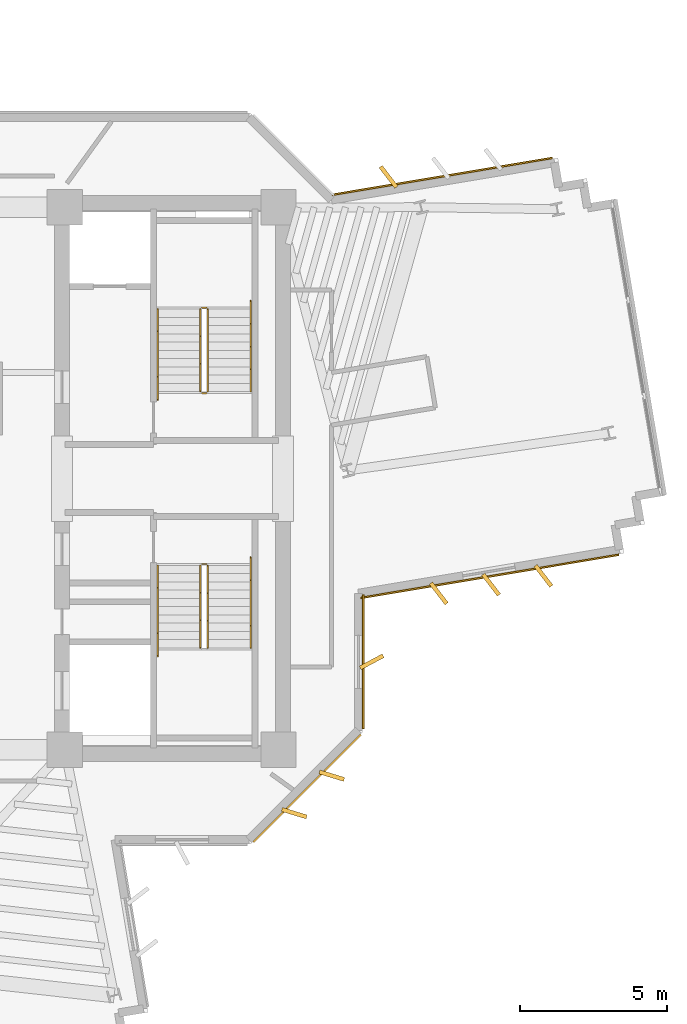
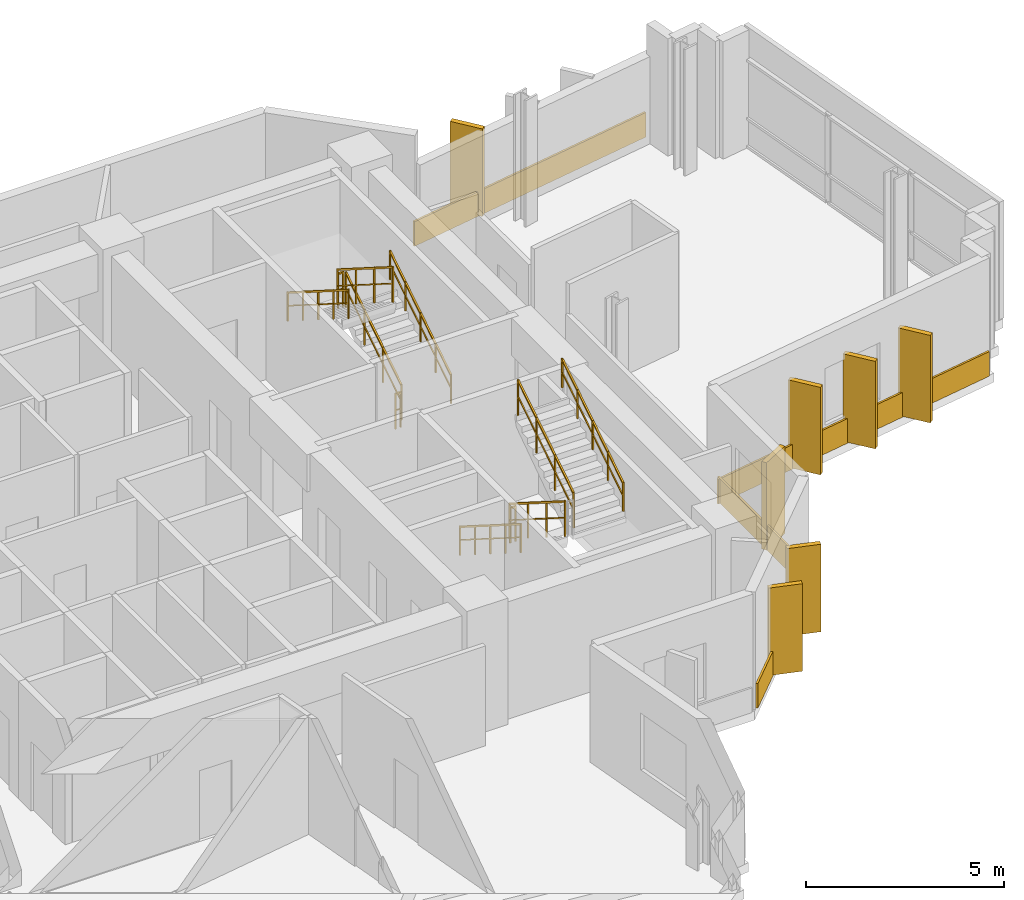
# One storey, part 14 of 15: 11 coverings, 11 railings.
"""IFC4 building model written with IfcOpenShell, lengths in metres."""

from ifc_helpers import new_model, si_unit, direction, frame, origin, origin_2d, place, context, subcontext, project, spatial, rectangle, extrude, source, transform, mapped, material, layer, layer_set, type_object, element, save


model = new_model("IFC4")

# Units and contexts
model_context = context("Model", 3, precision=1e-05, world=origin(), true_north=direction((0.0, 1.0)))
body_context = subcontext(model_context, "Body", "Model", "MODEL_VIEW")
ifc_project = project(units=[si_unit("LENGTHUNIT", "METRE"), si_unit("AREAUNIT", "SQUARE_METRE"), si_unit("VOLUMEUNIT", "CUBIC_METRE"), si_unit("PLANEANGLEUNIT", "RADIAN"), si_unit("MASSUNIT", "GRAM", prefix="KILO")], contexts=[model_context])

# Site, building, storey
site_placement = place(None, origin())
site = spatial("IfcSite", under=ifc_project, at=site_placement, CompositionType="ELEMENT")
building_placement = place(site_placement, origin())
building = spatial("IfcBuilding", under=site, at=building_placement, Name="Zahravan Cultural Tower", CompositionType="ELEMENT")
storey_placement = place(building_placement, frame((0.0, 0.0, 135.60009765625)))
storey = spatial("IfcBuildingStorey", under=building, at=storey_placement, Name="L30", CompositionType="ELEMENT", Elevation=135.60009765625)

# Railings
ifc_material_1 = material(Name="Steel ASTM A572 Grade 50", Category="steel")
railing_type_1 = type_object("IfcRailingType", Name="RL-STAIR-GRD1150", PredefinedType="BALUSTRADE", material=ifc_material_1)
railing_1_placement = place(storey_placement, frame((47.949951171875, 29.949951171875, 0.17724609375)))
element("IfcRailing", 1, at=railing_1_placement, inside=storey, type_object=railing_type_1, Name="L30 ST-E1 stair guard 1", PredefinedType="BALUSTRADE", context=body_context, shape_type="SweptSolid", body=[
    extrude(rectangle(XDim=0.05, YDim=0.05, at=origin_2d()), frame((0.0, 0.0, 1.0751953125), z_axis=(0.0, 0.844908973607, 0.534910110503), x_axis=(-1.0, 0.0, 0.0)), (0.0, 0.0, 1.0), 3.31396484375),
    extrude(rectangle(XDim=0.032, YDim=0.032, at=origin_2d()), frame((0.0, 0.0, 0.572021484375), z_axis=(0.0, 0.844908973607, 0.534910110503), x_axis=(-1.0, 0.0, 0.0)), (0.0, 0.0, 1.0), 3.31396484375),
    extrude(rectangle(XDim=0.04, YDim=0.04, at=origin_2d()), origin(), (0.0, 0.0, 1.0), 1.10009765625),
    extrude(rectangle(XDim=0.04, YDim=0.04, at=origin_2d()), frame((0.0, 0.933349609375, 0.5908203125)), (0.0, 0.0, 1.0), 1.10009765625),
    extrude(rectangle(XDim=0.04, YDim=0.04, at=origin_2d()), frame((0.0, 1.86669921875, 1.181884765625)), (0.0, 0.0, 1.0), 1.10009765625),
    extrude(rectangle(XDim=0.04, YDim=0.04, at=origin_2d()), frame((0.0, 2.800048828125, 1.772705078125)), (0.0, 0.0, 1.0), 1.10009765625),
])
railing_2_placement = place(storey_placement, frame((47.89990234375, 32.800048828125, 1.949951171875)))
element("IfcRailing", 2, at=railing_2_placement, inside=storey, type_object=railing_type_1, Name="L30 ST-E1 stair guard 2", PredefinedType="BALUSTRADE", context=body_context, shape_type="SweptSolid", body=[
    extrude(rectangle(XDim=0.05, YDim=0.05, at=origin_2d()), frame((0.0, 0.0, 1.0751953125), z_axis=(-1.0, 0.0, 0.0), x_axis=(0.0, -1.0, 0.0)), (0.0, 0.0, 1.0), 0.14990234375),
    extrude(rectangle(XDim=0.032, YDim=0.032, at=origin_2d()), frame((0.0, 0.0, 0.572021484375), z_axis=(-1.0, 0.0, 0.0), x_axis=(0.0, -1.0, 0.0)), (0.0, 0.0, 1.0), 0.14990234375),
    extrude(rectangle(XDim=0.04, YDim=0.04, at=origin_2d()), origin(), (0.0, 0.0, 1.0), 1.10009765625),
    extrude(rectangle(XDim=0.04, YDim=0.04, at=origin_2d()), frame((-0.14990234375, 0.0, 0.0)), (0.0, 0.0, 1.0), 1.10009765625),
])
railing_3_placement = place(storey_placement, frame((47.699951171875, 32.75, 2.127197265625)))
element("IfcRailing", 3, at=railing_3_placement, inside=storey, type_object=railing_type_1, Name="L30 ST-E1 stair guard 3", PredefinedType="BALUSTRADE", context=body_context, shape_type="SweptSolid", body=[
    extrude(rectangle(XDim=0.05, YDim=0.05, at=origin_2d()), frame((0.0, 0.0, 1.0751953125), z_axis=(0.0, -0.844908973607, 0.534910110503), x_axis=(1.0, 0.0, 0.0)), (0.0, 0.0, 1.0), 3.31396484375),
    extrude(rectangle(XDim=0.032, YDim=0.032, at=origin_2d()), frame((0.0, 0.0, 0.572021484375), z_axis=(0.0, -0.844908973607, 0.534910110503), x_axis=(1.0, 0.0, 0.0)), (0.0, 0.0, 1.0), 3.31396484375),
    extrude(rectangle(XDim=0.04, YDim=0.04, at=origin_2d()), origin(), (0.0, 0.0, 1.0), 1.10009765625),
    extrude(rectangle(XDim=0.04, YDim=0.04, at=origin_2d()), frame((0.0, -0.933349609375, 0.5908203125)), (0.0, 0.0, 1.0), 1.10009765625),
    extrude(rectangle(XDim=0.04, YDim=0.04, at=origin_2d()), frame((0.0, -1.86669921875, 1.181884765625)), (0.0, 0.0, 1.0), 1.10009765625),
    extrude(rectangle(XDim=0.04, YDim=0.04, at=origin_2d()), frame((0.0, -2.800048828125, 1.772705078125)), (0.0, 0.0, 1.0), 1.10009765625),
])
railing_4_placement = place(storey_placement, frame((47.89990234375, 29.89990234375, 0.0)))
element("IfcRailing", 4, at=railing_4_placement, inside=storey, type_object=railing_type_1, Name="L30 ST-E1 stair guard 4", PredefinedType="BALUSTRADE", context=body_context, shape_type="SweptSolid", body=[
    extrude(rectangle(XDim=0.05, YDim=0.05, at=origin_2d()), frame((0.0, 0.0, 1.0751953125), z_axis=(-1.0, 0.0, 0.0), x_axis=(0.0, -1.0, 0.0)), (0.0, 0.0, 1.0), 0.14990234375),
    extrude(rectangle(XDim=0.032, YDim=0.032, at=origin_2d()), frame((0.0, 0.0, 0.572021484375), z_axis=(-1.0, 0.0, 0.0), x_axis=(0.0, -1.0, 0.0)), (0.0, 0.0, 1.0), 0.14990234375),
    extrude(rectangle(XDim=0.04, YDim=0.04, at=origin_2d()), origin(), (0.0, 0.0, 1.0), 1.10009765625),
    extrude(rectangle(XDim=0.04, YDim=0.04, at=origin_2d()), frame((-0.14990234375, 0.0, 0.0)), (0.0, 0.0, 1.0), 1.10009765625),
])
railing_5_placement = place(storey_placement, frame((47.699951171875, 24.050048828125, 0.17724609375)))
element("IfcRailing", 5, at=railing_5_placement, inside=storey, type_object=railing_type_1, Name="L30 ST-E2 stair guard 1", PredefinedType="BALUSTRADE", context=body_context, shape_type="SweptSolid", body=[
    extrude(rectangle(XDim=0.05, YDim=0.05, at=origin_2d()), frame((0.0, 0.0, 1.0751953125), z_axis=(0.0, -0.844908973607, 0.534910110503), x_axis=(1.0, 0.0, 0.0)), (0.0, 0.0, 1.0), 3.31396484375),
    extrude(rectangle(XDim=0.032, YDim=0.032, at=origin_2d()), frame((0.0, 0.0, 0.572021484375), z_axis=(0.0, -0.844908973607, 0.534910110503), x_axis=(1.0, 0.0, 0.0)), (0.0, 0.0, 1.0), 3.31396484375),
    extrude(rectangle(XDim=0.04, YDim=0.04, at=origin_2d()), origin(), (0.0, 0.0, 1.0), 1.10009765625),
    extrude(rectangle(XDim=0.04, YDim=0.04, at=origin_2d()), frame((0.0, -0.933349609375, 0.5908203125)), (0.0, 0.0, 1.0), 1.10009765625),
    extrude(rectangle(XDim=0.04, YDim=0.04, at=origin_2d()), frame((0.0, -1.86669921875, 1.181884765625)), (0.0, 0.0, 1.0), 1.10009765625),
    extrude(rectangle(XDim=0.04, YDim=0.04, at=origin_2d()), frame((0.0, -2.800048828125, 1.772705078125)), (0.0, 0.0, 1.0), 1.10009765625),
])
railing_6_placement = place(storey_placement, frame((47.949951171875, 21.25, 2.127197265625)))
element("IfcRailing", 6, at=railing_6_placement, inside=storey, type_object=railing_type_1, Name="L30 ST-E2 stair guard 3", PredefinedType="BALUSTRADE", context=body_context, shape_type="SweptSolid", body=[
    extrude(rectangle(XDim=0.05, YDim=0.05, at=origin_2d()), frame((0.0, 0.0, 1.0751953125), z_axis=(0.0, 0.844908973607, 0.534910110503), x_axis=(-1.0, 0.0, 0.0)), (0.0, 0.0, 1.0), 3.31396484375),
    extrude(rectangle(XDim=0.032, YDim=0.032, at=origin_2d()), frame((0.0, 0.0, 0.572021484375), z_axis=(0.0, 0.844908973607, 0.534910110503), x_axis=(-1.0, 0.0, 0.0)), (0.0, 0.0, 1.0), 3.31396484375),
    extrude(rectangle(XDim=0.04, YDim=0.04, at=origin_2d()), origin(), (0.0, 0.0, 1.0), 1.10009765625),
    extrude(rectangle(XDim=0.04, YDim=0.04, at=origin_2d()), frame((0.0, 0.933349609375, 0.5908203125)), (0.0, 0.0, 1.0), 1.10009765625),
    extrude(rectangle(XDim=0.04, YDim=0.04, at=origin_2d()), frame((0.0, 1.86669921875, 1.181884765625)), (0.0, 0.0, 1.0), 1.10009765625),
    extrude(rectangle(XDim=0.04, YDim=0.04, at=origin_2d()), frame((0.0, 2.800048828125, 1.772705078125)), (0.0, 0.0, 1.0), 1.10009765625),
])
railing_7_placement = place(storey_placement, frame((47.75, 24.10009765625, 0.0)))
element("IfcRailing", 7, at=railing_7_placement, inside=storey, type_object=railing_type_1, Name="L30 ST-E2 stair guard 4", PredefinedType="BALUSTRADE", context=body_context, shape_type="SweptSolid", body=[
    extrude(rectangle(XDim=0.05, YDim=0.05, at=origin_2d()), frame((0.0, 0.0, 1.0751953125), z_axis=(1.0, 0.0, 0.0), x_axis=(0.0, 1.0, 0.0)), (0.0, 0.0, 1.0), 0.14990234375),
    extrude(rectangle(XDim=0.032, YDim=0.032, at=origin_2d()), frame((0.0, 0.0, 0.572021484375), z_axis=(1.0, 0.0, 0.0), x_axis=(0.0, 1.0, 0.0)), (0.0, 0.0, 1.0), 0.14990234375),
    extrude(rectangle(XDim=0.04, YDim=0.04, at=origin_2d()), origin(), (0.0, 0.0, 1.0), 1.10009765625),
    extrude(rectangle(XDim=0.04, YDim=0.04, at=origin_2d()), frame((0.14990234375, 0.0, 0.0)), (0.0, 0.0, 1.0), 1.10009765625),
])
railing_type_2 = type_object("IfcRailingType", Name="RL-STAIR-HR900", PredefinedType="HANDRAIL", material=ifc_material_1)
railing_8_placement = place(storey_placement, frame((49.39990234375, 29.949951171875, 0.17724609375)))
element("IfcRailing", 8, at=railing_8_placement, inside=storey, type_object=railing_type_2, Name="L30 ST-E1 stair handrail 1", PredefinedType="HANDRAIL", context=body_context, shape_type="SweptSolid", body=[
    extrude(rectangle(XDim=0.05, YDim=0.05, at=origin_2d()), frame((0.0, 0.0, 0.875), z_axis=(0.0, 0.844913916606, 0.534902302785), x_axis=(-1.0, 0.0, 0.0)), (0.0, 0.0, 1.0), 3.6455078125),
    extrude(rectangle(XDim=0.032, YDim=0.032, at=origin_2d()), frame((0.0, 0.0, 0.468017578125), z_axis=(0.0, 0.844913916606, 0.534902302785), x_axis=(-1.0, 0.0, 0.0)), (0.0, 0.0, 1.0), 3.6455078125),
    extrude(rectangle(XDim=0.04, YDim=0.04, at=origin_2d()), origin(), (0.0, 0.0, 1.0), 0.89990234375),
    extrude(rectangle(XDim=0.04, YDim=0.04, at=origin_2d()), frame((0.0, 0.77001953125, 0.487548828125)), (0.0, 0.0, 1.0), 0.89990234375),
    extrude(rectangle(XDim=0.04, YDim=0.04, at=origin_2d()), frame((0.0, 1.5400390625, 0.97509765625)), (0.0, 0.0, 1.0), 0.89990234375),
    extrude(rectangle(XDim=0.04, YDim=0.04, at=origin_2d()), frame((0.0, 2.31005859375, 1.46240234375)), (0.0, 0.0, 1.0), 0.89990234375),
    extrude(rectangle(XDim=0.04, YDim=0.04, at=origin_2d()), frame((0.0, 3.080078125, 1.949951171875)), (0.0, 0.0, 1.0), 0.89990234375),
])
for number, where, name in (
    (9, (46.25, 32.75, 2.127197265625), "L30 ST-E1 stair handrail 2"),
    (10, (46.25, 24.050048828125, 0.17724609375), "L30 ST-E2 stair handrail 1"),
):
    element("IfcRailing", number, at=place(storey_placement, frame(where)), inside=storey, type_object=railing_type_2, Name=name, PredefinedType="HANDRAIL", context=body_context, shape_type="SweptSolid", body=[
        extrude(rectangle(XDim=0.05, YDim=0.05, at=origin_2d()), frame((0.0, 0.0, 0.875), z_axis=(0.0, -0.844913916606, 0.534902302785), x_axis=(1.0, 0.0, 0.0)), (0.0, 0.0, 1.0), 3.6455078125),
        extrude(rectangle(XDim=0.032, YDim=0.032, at=origin_2d()), frame((0.0, 0.0, 0.468017578125), z_axis=(0.0, -0.844913916606, 0.534902302785), x_axis=(1.0, 0.0, 0.0)), (0.0, 0.0, 1.0), 3.6455078125),
        extrude(rectangle(XDim=0.04, YDim=0.04, at=origin_2d()), origin(), (0.0, 0.0, 1.0), 0.89990234375),
        extrude(rectangle(XDim=0.04, YDim=0.04, at=origin_2d()), frame((0.0, -0.77001953125, 0.487548828125)), (0.0, 0.0, 1.0), 0.89990234375),
        extrude(rectangle(XDim=0.04, YDim=0.04, at=origin_2d()), frame((0.0, -1.5400390625, 0.97509765625)), (0.0, 0.0, 1.0), 0.89990234375),
        extrude(rectangle(XDim=0.04, YDim=0.04, at=origin_2d()), frame((0.0, -2.31005859375, 1.46240234375)), (0.0, 0.0, 1.0), 0.89990234375),
        extrude(rectangle(XDim=0.04, YDim=0.04, at=origin_2d()), frame((0.0, -3.080078125, 1.949951171875)), (0.0, 0.0, 1.0), 0.89990234375),
    ])
railing_9_placement = place(storey_placement, frame((49.39990234375, 21.25, 2.127197265625)))
element("IfcRailing", 11, at=railing_9_placement, inside=storey, type_object=railing_type_2, Name="L30 ST-E2 stair handrail 2", PredefinedType="HANDRAIL", context=body_context, shape_type="SweptSolid", body=[
    extrude(rectangle(XDim=0.05, YDim=0.05, at=origin_2d()), frame((0.0, 0.0, 0.875), z_axis=(0.0, 0.844913916606, 0.534902302785), x_axis=(-1.0, 0.0, 0.0)), (0.0, 0.0, 1.0), 3.6455078125),
    extrude(rectangle(XDim=0.032, YDim=0.032, at=origin_2d()), frame((0.0, 0.0, 0.468017578125), z_axis=(0.0, 0.844913916606, 0.534902302785), x_axis=(-1.0, 0.0, 0.0)), (0.0, 0.0, 1.0), 3.6455078125),
    extrude(rectangle(XDim=0.04, YDim=0.04, at=origin_2d()), origin(), (0.0, 0.0, 1.0), 0.89990234375),
    extrude(rectangle(XDim=0.04, YDim=0.04, at=origin_2d()), frame((0.0, 0.77001953125, 0.487548828125)), (0.0, 0.0, 1.0), 0.89990234375),
    extrude(rectangle(XDim=0.04, YDim=0.04, at=origin_2d()), frame((0.0, 1.5400390625, 0.97509765625)), (0.0, 0.0, 1.0), 0.89990234375),
    extrude(rectangle(XDim=0.04, YDim=0.04, at=origin_2d()), frame((0.0, 2.31005859375, 1.46240234375)), (0.0, 0.0, 1.0), 0.89990234375),
    extrude(rectangle(XDim=0.04, YDim=0.04, at=origin_2d()), frame((0.0, 3.080078125, 1.949951171875)), (0.0, 0.0, 1.0), 0.89990234375),
])

# Coverings
ifc_material_2 = material(Name="Terracotta ceramic cladding", Category="masonry")
ifc_layer = layer(ifc_material_2, 0.06005859375)
ifc_layer_set = layer_set([ifc_layer], Name="Terracotta ceramic cladding")
covering_type = type_object("IfcCoveringType", Name="COV-CLAD-TC60", PredefinedType="CLADDING", material=ifc_layer_set)
shared_shape_1 = source(origin(), body_context, "Body", "SweptSolid", [
    extrude(rectangle(XDim=5.157958984375, YDim=0.06005859375, at=origin_2d()), origin(), (0.0, 0.0, 1.0), 0.760009765625),
])
covering_1_placement = place(storey_placement, frame((51.317626953125, 16.482421875, 0.02001953125), z_axis=(0.0, 0.0, 1.0), x_axis=(-0.707106781187, -0.707106781187, 0.0)))
element("IfcCovering", 12, at=covering_1_placement, inside=storey, type_object=covering_type, Name="L30 Terracotta Spandrel Cladding 12", PredefinedType="CLADDING", context=body_context, shape_type="MappedRepresentation", body=[
    mapped(shared_shape_1, transform((0.0, 0.0, 0.0), x_axis=(1.0, 0.0, 0.0), y_axis=(0.0, 1.0, 0.0), z_axis=(0.0, 0.0, 1.0), scale=1.0)),
])
shared_shape_2 = source(origin(), body_context, "Body", "SweptSolid", [
    extrude(rectangle(XDim=7.573486328125, YDim=0.06005859375, at=origin_2d()), origin(), (0.0, 0.0, 1.0), 0.760009765625),
])
covering_2_placement = place(storey_placement, frame((55.904296875, 37.250732421875, 0.02001953125), z_axis=(0.0, 0.0, 1.0), x_axis=(0.986285601537, 0.165047605861, 0.0)))
element("IfcCovering", 13, at=covering_2_placement, inside=storey, type_object=covering_type, Name="L30 Terracotta Spandrel Cladding 01", PredefinedType="CLADDING", context=body_context, shape_type="MappedRepresentation", body=[
    mapped(shared_shape_2, transform((0.0, 0.0, 0.0), x_axis=(1.0, 0.0, 0.0), y_axis=(0.0, 1.0, 0.0), z_axis=(0.0, 0.0, 1.0), scale=1.0)),
])
shared_shape_3 = source(origin(), body_context, "Body", "SweptSolid", [
    extrude(rectangle(XDim=0.8798828125, YDim=0.139892578125, at=origin_2d()), origin(), (0.0, 0.0, 1.0), 2.699951171875),
])
for number, where, z_axis, x_axis, name in (
    (14, (54.081787109375, 37.234619140625, 0.0498046875), (0.0, 0.0, 1.0), (-0.608761429009, 0.793353340291, 0.0), "L30 Herringbone Terracotta Fin 01"),
    (15, (59.336669921875, 23.6962890625, 0.0498046875), (0.0, 0.0, 1.0), (0.608761429009, -0.793353340291, 0.0), "L30 Herringbone Terracotta Fin 04"),
    (16, (57.561279296875, 23.3994140625, 0.0498046875), (0.0, 0.0, 1.0), (0.608761429009, -0.793353340291, 0.0), "L30 Herringbone Terracotta Fin 05"),
    (17, (55.785888671875, 23.102294921875, 0.0498046875), (0.0, 0.0, 1.0), (0.608761429009, -0.793353340291, 0.0), "L30 Herringbone Terracotta Fin 06"),
    (18, (53.510009765625, 20.780029296875, 0.0498046875), (0.0, 0.0, 1.0), (0.882947592859, 0.469471562786, 0.0), "L30 Herringbone Terracotta Fin 07"),
    (19, (52.155517578125, 16.917236328125, 0.0498046875), (0.0, 0.0, 1.0), (0.956304755963, -0.292371704723, 0.0), "L30 Herringbone Terracotta Fin 08"),
    (20, (50.8828125, 15.644287109375, 0.0498046875), (0.0, 0.0, 1.0), (0.956304755963, -0.292371704723, 0.0), "L30 Herringbone Terracotta Fin 09"),
):
    element("IfcCovering", number, at=place(storey_placement, frame(where, z_axis=z_axis, x_axis=x_axis)), inside=storey, type_object=covering_type, Name=name, PredefinedType="CLADDING", context=body_context, shape_type="MappedRepresentation", body=[
        mapped(shared_shape_3, transform((0.0, 0.0, 0.0), x_axis=(1.0, 0.0, 0.0), y_axis=(0.0, 1.0, 0.0), z_axis=(0.0, 0.0, 1.0), scale=1.0)),
    ])
shared_shape_4 = source(origin(), body_context, "Body", "SweptSolid", [
    extrude(rectangle(XDim=8.877197265625, YDim=0.06005859375, at=origin_2d()), origin(), (0.0, 0.0, 1.0), 0.760009765625),
])
covering_3_placement = place(storey_placement, frame((57.514404296875, 23.680419921875, 0.02001953125), z_axis=(0.0, 0.0, 1.0), x_axis=(-0.986285601537, -0.165047605861, 0.0)))
element("IfcCovering", 21, at=covering_3_placement, inside=storey, type_object=covering_type, Name="L30 Terracotta Spandrel Cladding 10", PredefinedType="CLADDING", context=body_context, shape_type="MappedRepresentation", body=[
    mapped(shared_shape_4, transform((0.0, 0.0, 0.0), x_axis=(1.0, 0.0, 0.0), y_axis=(0.0, 1.0, 0.0), z_axis=(0.0, 0.0, 1.0), scale=1.0)),
])
shared_shape_5 = source(origin(), body_context, "Body", "SweptSolid", [
    extrude(rectangle(XDim=4.544189453125, YDim=0.06005859375, at=origin_2d()), origin(), (0.0, 0.0, 1.0), 0.760009765625),
])
covering_4_placement = place(storey_placement, frame((53.22509765625, 20.780029296875, 0.02001953125), z_axis=(0.0, 0.0, 1.0), x_axis=(0.0, -1.0, 0.0)))
element("IfcCovering", 22, at=covering_4_placement, inside=storey, type_object=covering_type, Name="L30 Terracotta Spandrel Cladding 11", PredefinedType="CLADDING", context=body_context, shape_type="MappedRepresentation", body=[
    mapped(shared_shape_5, transform((0.0, 0.0, 0.0), x_axis=(1.0, 0.0, 0.0), y_axis=(0.0, 1.0, 0.0), z_axis=(0.0, 0.0, 1.0), scale=1.0)),
])

save(model, "model.ifc")
